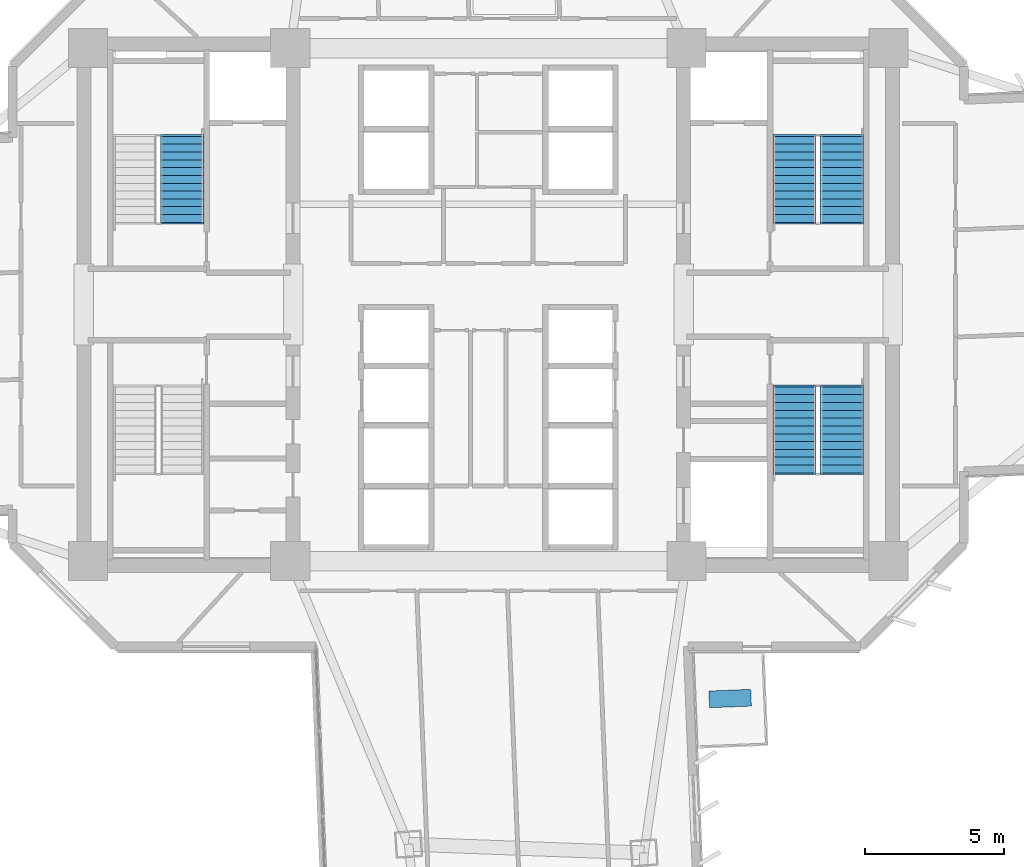
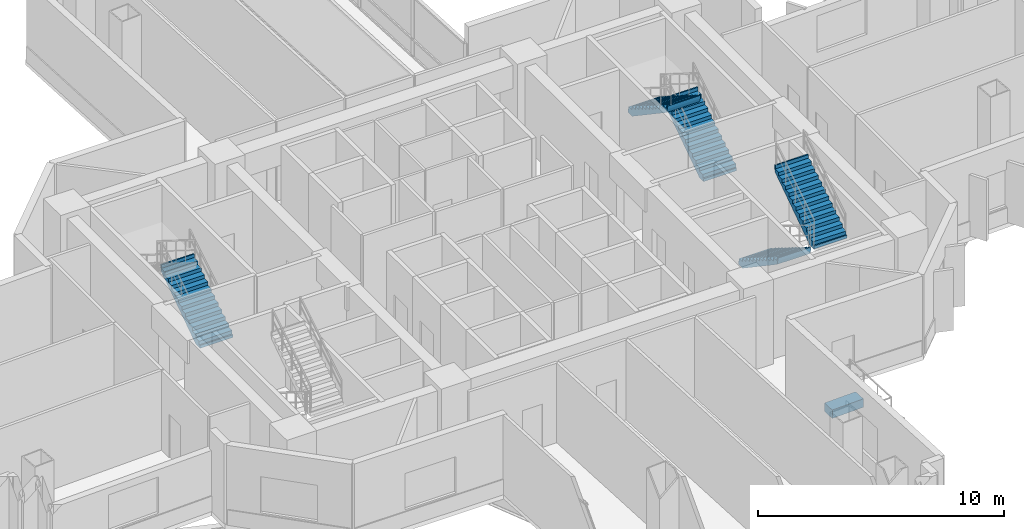
# One storey, part 11 of 16: 5 stair flights, 1 discrete accessory, 3 elements without a shape of their own.
"""IFC4 building model written with IfcOpenShell, lengths in metres."""

import ifcopenshell
import ifcopenshell.guid

model = None  # the IFC model being written
_history = None  # IfcOwnerHistory: only IFC2X3 demands one
_inside = {}  # id of a spatial element -> (the spatial element, [elements in it])
_under = {}  # id of a project, library or spatial element -> (it, [spatial elements below it])
_declared = {}  # id of a project -> (the project, [libraries it declares])
_typed = {}  # id of a type object -> (the type object, [elements of that type])
_made_of = {}  # id of a material, layer set ... -> (it, [elements and type objects made of it])


def new_model(schema):
    """Start an empty IFC model of exactly this schema.

    Asked for "IFC4X3", IfcOpenShell would pick the latest addendum, in which some entities
    have other attributes; the version numbers below select the first issue.
    IFC2X3 requires an IfcOwnerHistory on every rooted entity: one is made here for all.
    """
    global model, _history
    if schema == "IFC4X3":
        model = ifcopenshell.file(schema_version=(4, 3, 0, 0))
    else:
        model = ifcopenshell.file(schema=schema)
    _inside.clear()
    _under.clear()
    _declared.clear()
    _typed.clear()
    _made_of.clear()
    _history = None
    if model.schema == "IFC2X3":
        org = make("IfcOrganization", Name="unknown")
        user = make(
            "IfcPersonAndOrganization",
            ThePerson=make("IfcPerson", FamilyName="unknown"),
            TheOrganization=org,
        )
        app = make(
            "IfcApplication",
            ApplicationDeveloper=org,
            Version="unknown",
            ApplicationFullName="unknown",
            ApplicationIdentifier="unknown",
        )
        _history = make(
            "IfcOwnerHistory",
            OwningUser=user,
            OwningApplication=app,
            ChangeAction="ADDED",
            CreationDate=0,
        )
    return model


def make(cls, **values):
    """One entity of the class cls with the attributes given. An attribute that is None is left unset."""
    return model.create_entity(
        cls, **{name: value for name, value in values.items() if value is not None}
    )


def rooted(cls, **values):
    """An entity with a GlobalId (a new one), such as an element, a storey or a relation."""
    return make(cls, GlobalId=ifcopenshell.guid.new(), OwnerHistory=_history, **values)


def si_unit(unit_type, name, prefix=None):
    """IfcSIUnit, for example si_unit("LENGTHUNIT", "METRE", prefix="MILLI")."""
    return make("IfcSIUnit", UnitType=unit_type, Prefix=prefix, Name=name)


def assignment(units):
    """IfcUnitAssignment: the units of a project."""
    return None if units is None else make("IfcUnitAssignment", Units=units)


def point(xyz):
    """IfcCartesianPoint."""
    return None if xyz is None else make("IfcCartesianPoint", Coordinates=xyz)


def direction(xyz):
    """IfcDirection."""
    return None if xyz is None else make("IfcDirection", DirectionRatios=xyz)


def frame(location, z_axis=None, x_axis=None):
    """IfcAxis2Placement3D, a coordinate frame: its origin and axes. An axis left out is left unset."""
    return make(
        "IfcAxis2Placement3D",
        Location=point(location),
        Axis=direction(z_axis),
        RefDirection=direction(x_axis),
    )


def frame_2d(location, x_axis=None):
    """IfcAxis2Placement2D, a coordinate frame in the plane: its origin and x axis."""
    return make(
        "IfcAxis2Placement2D", Location=point(location), RefDirection=direction(x_axis)
    )


def origin():
    """The frame at (0, 0, 0) with its axes left unset."""
    return frame((0.0, 0.0, 0.0))


def origin_2d():
    """The frame at (0, 0) in the plane with its x axis left unset."""
    return frame_2d((0.0, 0.0))


def place(relative_to, where):
    """IfcLocalPlacement: puts the frame where relative to a parent placement (None: the world)."""
    return make(
        "IfcLocalPlacement", PlacementRelTo=relative_to, RelativePlacement=where
    )


def context(
    kind, dimensions, precision=None, world=None, true_north=None, identifier=None
):
    """IfcGeometricRepresentationContext, for example the 3D "Model" context."""
    return make(
        "IfcGeometricRepresentationContext",
        ContextIdentifier=identifier,
        ContextType=kind,
        CoordinateSpaceDimension=dimensions,
        Precision=precision,
        WorldCoordinateSystem=world,
        TrueNorth=true_north,
    )


def subcontext(parent, identifier, kind, view, scale=None):
    """IfcGeometricRepresentationSubContext, for example "Body" below "Model"."""
    return make(
        "IfcGeometricRepresentationSubContext",
        ContextIdentifier=identifier,
        ContextType=kind,
        ParentContext=parent,
        TargetScale=scale,
        TargetView=view,
    )


def project(units=None, contexts=None):
    """IfcProject with its units and contexts."""
    return rooted(
        "IfcProject",
        Name="project",
        RepresentationContexts=contexts,
        UnitsInContext=assignment(units),
    )


def spatial(cls, under=None, at=None, **own):
    """A site, building, storey or space (cls), placed at a placement, below another one or the project."""
    s = rooted(cls, ObjectPlacement=at, **own)
    if under is not None:
        _under.setdefault(under.id(), (under, []))[1].append(s)
    return s


def polyline(points):
    """IfcPolyline through the points."""
    return make("IfcPolyline", Points=[point(p) for p in points])


def profile(cls, at=None, kind="AREA", **sizes):
    """A parametric profile (cls). Its sizes go by their IFC names, for example OverallWidth=200.0."""
    return make(cls, ProfileType=kind, Position=at, **sizes)


def rectangle(**sizes):
    """IfcRectangleProfileDef."""
    return profile("IfcRectangleProfileDef", **sizes)


def outline(outer, holes=None, kind="AREA"):
    """IfcArbitraryClosedProfileDef: a profile drawn as a closed curve; with holes, ...WithVoids."""
    if holes is None:
        return make("IfcArbitraryClosedProfileDef", ProfileType=kind, OuterCurve=outer)
    return make(
        "IfcArbitraryProfileDefWithVoids",
        ProfileType=kind,
        OuterCurve=outer,
        InnerCurves=holes,
    )


def extrude(swept, where, along, depth):
    """IfcExtrudedAreaSolid: the profile swept, set in the frame where, extruded along a direction by depth."""
    return make(
        "IfcExtrudedAreaSolid",
        SweptArea=swept,
        Position=where,
        ExtrudedDirection=direction(along),
        Depth=depth,
    )


def shape(context_of_items, identifier, shape_type, items):
    """IfcShapeRepresentation: the items that make up one representation, for example the "Body"."""
    return make(
        "IfcShapeRepresentation",
        ContextOfItems=context_of_items,
        RepresentationIdentifier=identifier,
        RepresentationType=shape_type,
        Items=items,
    )


def source(mapping_origin, context_of_items, identifier, shape_type, items):
    """IfcRepresentationMap: a shape defined once, which mapped items show again and again."""
    return make(
        "IfcRepresentationMap",
        MappingOrigin=mapping_origin,
        MappedRepresentation=shape(context_of_items, identifier, shape_type, items),
    )


def transform(
    local_origin,
    x_axis=None,
    y_axis=None,
    z_axis=None,
    scale=None,
    scale2=None,
    scale3=None,
    uniform=True,
):
    """IfcCartesianTransformationOperator3D, or its non-uniform kind. x_axis, y_axis, z_axis: its Axis1, 2, 3."""
    if uniform:
        return make(
            "IfcCartesianTransformationOperator3D",
            Axis1=direction(x_axis),
            Axis2=direction(y_axis),
            LocalOrigin=point(local_origin),
            Scale=scale,
            Axis3=direction(z_axis),
        )
    return make(
        "IfcCartesianTransformationOperator3DnonUniform",
        Axis1=direction(x_axis),
        Axis2=direction(y_axis),
        LocalOrigin=point(local_origin),
        Scale=scale,
        Axis3=direction(z_axis),
        Scale2=scale2,
        Scale3=scale3,
    )


def mapped(mapping_source, mapping_target):
    """IfcMappedItem: shows the shape of a source again, moved by a transform."""
    return make(
        "IfcMappedItem", MappingSource=mapping_source, MappingTarget=mapping_target
    )


def material(Name=None, Category=None):
    """IfcMaterial."""
    return make("IfcMaterial", Name=Name, Category=Category)


def made_of(thing, what):
    """Note that an element or type object is made of a material, layer set ...; save() writes the relation."""
    if what is not None:
        _made_of.setdefault(what.id(), (what, []))[1].append(thing)
    return thing


def type_object(cls, material=None, **own):
    """A type object (cls), such as IfcWallType, which elements share."""
    return made_of(rooted(cls, **own), material)


def element(
    cls,
    number,
    at=None,
    inside=None,
    cuts=None,
    type_object=None,
    material=None,
    context=None,
    identifier="Body",
    shape_type=None,
    held_by="IfcProductDefinitionShape",
    body=None,
    shapes=None,
    **own,
):
    """One element of the class cls, such as IfcWall. Its Tag is "e" and its number.

    at: its placement. inside: the storey or other place that contains it. cuts: it is an
    opening in that element (IfcRelVoidsElement). A single representation is given by context,
    identifier, shape_type and body (its items); several are given by shapes. held_by: the class
    of the entity that holds the representations. save() writes the other relations.
    """
    e = rooted(cls, Tag="e%d" % number, ObjectPlacement=at, **own)
    if body is not None:
        shapes = [shape(context, identifier, shape_type, body)]
    if shapes is not None:
        e.Representation = make(held_by, Representations=shapes)
    if inside is not None:
        _inside.setdefault(inside.id(), (inside, []))[1].append(e)
    if cuts is not None:
        rooted(
            "IfcRelVoidsElement", RelatingBuildingElement=cuts, RelatedOpeningElement=e
        )
    if type_object is not None:
        _typed.setdefault(type_object.id(), (type_object, []))[1].append(e)
    return made_of(e, material)


def aggregate(whole, parts):
    """IfcRelAggregates: a whole, such as a stair, and the parts it consists of."""
    return rooted("IfcRelAggregates", RelatingObject=whole, RelatedObjects=parts)


def save(model, path):
    """Write the relations noted so far, then the file.

    IfcRelAggregates (storeys below a building ...), IfcRelContainedInSpatialStructure (elements
    in a storey), IfcRelDefinesByType, IfcRelAssociatesMaterial and IfcRelDeclares: one each for
    every whole, place, type object, material and project.
    """
    for whole, parts in _under.values():
        aggregate(whole, parts)
    for where, things in _inside.values():
        rooted(
            "IfcRelContainedInSpatialStructure",
            RelatedElements=things,
            RelatingStructure=where,
        )
    for kind, things in _typed.values():
        rooted("IfcRelDefinesByType", RelatedObjects=things, RelatingType=kind)
    for what, things in _made_of.values():
        rooted("IfcRelAssociatesMaterial", RelatedObjects=things, RelatingMaterial=what)
    for by, libraries in _declared.values():
        rooted("IfcRelDeclares", RelatingContext=by, RelatedDefinitions=libraries)
    model.write(path)


model = new_model("IFC4")

# Units and contexts
model_context = context("Model", 3, precision=1e-05, world=origin(), true_north=direction((0.0, 1.0)))
body_context = subcontext(model_context, "Body", "Model", "MODEL_VIEW")
ifc_project = project(units=[si_unit("LENGTHUNIT", "METRE"), si_unit("AREAUNIT", "SQUARE_METRE"), si_unit("VOLUMEUNIT", "CUBIC_METRE"), si_unit("PLANEANGLEUNIT", "RADIAN"), si_unit("MASSUNIT", "GRAM", prefix="KILO")], contexts=[model_context])

# Site, building, storey
site_placement = place(None, origin())
site = spatial("IfcSite", under=ifc_project, at=site_placement, CompositionType="ELEMENT")
building_placement = place(site_placement, origin())
building = spatial("IfcBuilding", under=site, at=building_placement, Name="Zahravan Cultural Tower", CompositionType="ELEMENT")
storey_placement = place(building_placement, frame((0.0, 0.0, 54.300048828125)))
storey = spatial("IfcBuildingStorey", under=building, at=storey_placement, Name="L11", CompositionType="ELEMENT", Elevation=54.300048828125)

# Stair, stair flight
ifc_material_1 = material(Name="Concrete C45/55", Category="concrete")
stair_type = type_object("IfcStairType", Name="STR-DL-1550-420", PredefinedType="HALF_TURN_STAIR", material=ifc_material_1)
stair_1_placement = place(storey_placement, origin())
stair_1 = element("IfcStair", 1, at=stair_1_placement, inside=storey, type_object=stair_type, Name="L11 West Core North Exit Stair ST-W1", PredefinedType="HALF_TURN_STAIR")
stair_flight_type = type_object("IfcStairFlightType", Name="FLG-DL-1550-420", PredefinedType="STRAIGHT", material=ifc_material_1)
stair_flight_1_placement = place(storey_placement, frame((25.02490234375, 29.949951171875, 0.0), z_axis=(0.0, 0.0, 1.0), x_axis=(0.0, 1.0, 0.0)))
stair_flight_1 = element("IfcStairFlight", 2, at=stair_flight_1_placement, type_object=stair_flight_type, Name="ST-W1 flight 1", NumberOfRisers=12, NumberOfTreads=11, PredefinedType="STRAIGHT", RiserHeight=0.175, TreadLength=0.28, context=body_context, shape_type="SweptSolid", body=[
    extrude(outline(polyline([(-0.06494140625, -0.139892578125), (-0.06494140625, 0.0), (0.0, 0.0), (0.0, 0.175048828125), (0.280029296875, 0.175048828125), (0.280029296875, 0.35009765625), (0.56005859375, 0.35009765625), (0.56005859375, 0.52490234375), (0.840087890625, 0.52490234375), (0.840087890625, 0.699951171875), (1.1201171875, 0.699951171875), (1.1201171875, 0.875), (1.39990234375, 0.875), (1.39990234375, 1.050048828125), (1.679931640625, 1.050048828125), (1.679931640625, 1.22509765625), (1.9599609375, 1.22509765625), (1.9599609375, 1.39990234375), (2.239990234375, 1.39990234375), (2.239990234375, 1.574951171875), (2.52001953125, 1.574951171875), (2.52001953125, 1.75), (2.800048828125, 1.75), (2.800048828125, 1.925048828125), (3.080078125, 1.925048828125), (3.080078125, 2.10009765625), (3.14501953125, 2.10009765625), (3.14501953125, 1.9501953125), (3.080078125, 1.748291015625), (0.28271484375, -0.139892578125), (-0.06494140625, -0.139892578125)])), frame((0.0, 0.77490234375, 0.0), z_axis=(0.0, -1.0, 0.0), x_axis=(1.0, 0.0, 0.0)), (0.0, 0.0, 1.0), 1.550048828125),
])
aggregate(stair_1, [stair_flight_1])

# Stair, stair flights
stair_2_placement = place(storey_placement, origin())
stair_2 = element("IfcStair", 3, at=stair_2_placement, inside=storey, type_object=stair_type, Name="L11 East Core North Exit Stair ST-E1", PredefinedType="HALF_TURN_STAIR")
stair_flight_2_placement = place(storey_placement, frame((48.675048828125, 29.949951171875, 0.0), z_axis=(0.0, 0.0, 1.0), x_axis=(0.0, 1.0, 0.0)))
stair_flight_2 = element("IfcStairFlight", 4, at=stair_flight_2_placement, type_object=stair_flight_type, Name="ST-E1 flight 1", NumberOfRisers=12, NumberOfTreads=11, PredefinedType="STRAIGHT", RiserHeight=0.175, TreadLength=0.28, context=body_context, shape_type="SweptSolid", body=[
    extrude(outline(polyline([(-0.06494140625, -0.139892578125), (-0.06494140625, 0.0), (0.0, 0.0), (0.0, 0.175048828125), (0.280029296875, 0.175048828125), (0.280029296875, 0.35009765625), (0.56005859375, 0.35009765625), (0.56005859375, 0.52490234375), (0.840087890625, 0.52490234375), (0.840087890625, 0.699951171875), (1.1201171875, 0.699951171875), (1.1201171875, 0.875), (1.39990234375, 0.875), (1.39990234375, 1.050048828125), (1.679931640625, 1.050048828125), (1.679931640625, 1.22509765625), (1.9599609375, 1.22509765625), (1.9599609375, 1.39990234375), (2.239990234375, 1.39990234375), (2.239990234375, 1.574951171875), (2.52001953125, 1.574951171875), (2.52001953125, 1.75), (2.800048828125, 1.75), (2.800048828125, 1.925048828125), (3.080078125, 1.925048828125), (3.080078125, 2.10009765625), (3.14501953125, 2.10009765625), (3.14501953125, 1.9501953125), (3.080078125, 1.748291015625), (0.28271484375, -0.139892578125), (-0.06494140625, -0.139892578125)])), frame((0.0, 0.77490234375, 0.0), z_axis=(0.0, -1.0, 0.0), x_axis=(1.0, 0.0, 0.0)), (0.0, 0.0, 1.0), 1.550048828125),
])
stair_flight_3_placement = place(storey_placement, frame((46.97509765625, 33.030029296875, 2.099853515625), z_axis=(0.0, 0.0, 1.0), x_axis=(0.0, -1.0, 0.0)))
stair_flight_3 = element("IfcStairFlight", 5, at=stair_flight_3_placement, type_object=stair_flight_type, Name="ST-E1 flight 2", NumberOfRisers=12, NumberOfTreads=11, PredefinedType="STRAIGHT", RiserHeight=0.175, TreadLength=0.28, context=body_context, shape_type="SweptSolid", body=[
    extrude(outline(polyline([(-0.06494140625, -0.139892578125), (-0.06494140625, 0.0), (0.0, 0.0), (0.0, 0.175048828125), (0.280029296875, 0.175048828125), (0.280029296875, 0.35009765625), (0.56005859375, 0.35009765625), (0.56005859375, 0.52490234375), (0.840087890625, 0.52490234375), (0.840087890625, 0.699951171875), (1.1201171875, 0.699951171875), (1.1201171875, 0.875), (1.39990234375, 0.875), (1.39990234375, 1.050048828125), (1.679931640625, 1.050048828125), (1.679931640625, 1.22509765625), (1.9599609375, 1.22509765625), (1.9599609375, 1.39990234375), (2.239990234375, 1.39990234375), (2.239990234375, 1.574951171875), (2.52001953125, 1.574951171875), (2.52001953125, 1.75), (2.800048828125, 1.75), (2.800048828125, 1.925048828125), (3.080078125, 1.925048828125), (3.080078125, 2.10009765625), (3.14501953125, 2.10009765625), (3.14501953125, 1.9501953125), (3.080078125, 1.748291015625), (0.28271484375, -0.139892578125), (-0.06494140625, -0.139892578125)])), frame((0.0, 0.77490234375, 0.0), z_axis=(0.0, -1.0, 0.0), x_axis=(1.0, 0.0, 0.0)), (0.0, 0.0, 1.0), 1.550048828125),
])
aggregate(stair_2, [stair_flight_2, stair_flight_3])

stair_3_placement = place(storey_placement, origin())
stair_3 = element("IfcStair", 6, at=stair_3_placement, inside=storey, type_object=stair_type, Name="L11 East Core South Exit Stair ST-E2", PredefinedType="HALF_TURN_STAIR")
stair_flight_4_placement = place(storey_placement, frame((46.97509765625, 24.050048828125, 0.0), z_axis=(0.0, 0.0, 1.0), x_axis=(0.0, -1.0, 0.0)))
stair_flight_4 = element("IfcStairFlight", 7, at=stair_flight_4_placement, type_object=stair_flight_type, Name="ST-E2 flight 1", NumberOfRisers=12, NumberOfTreads=11, PredefinedType="STRAIGHT", RiserHeight=0.175, TreadLength=0.28, context=body_context, shape_type="SweptSolid", body=[
    extrude(outline(polyline([(-0.06494140625, -0.139892578125), (-0.06494140625, 0.0), (0.0, 0.0), (0.0, 0.175048828125), (0.280029296875, 0.175048828125), (0.280029296875, 0.35009765625), (0.56005859375, 0.35009765625), (0.56005859375, 0.52490234375), (0.840087890625, 0.52490234375), (0.840087890625, 0.699951171875), (1.1201171875, 0.699951171875), (1.1201171875, 0.875), (1.39990234375, 0.875), (1.39990234375, 1.050048828125), (1.679931640625, 1.050048828125), (1.679931640625, 1.22509765625), (1.9599609375, 1.22509765625), (1.9599609375, 1.39990234375), (2.239990234375, 1.39990234375), (2.239990234375, 1.574951171875), (2.52001953125, 1.574951171875), (2.52001953125, 1.75), (2.800048828125, 1.75), (2.800048828125, 1.925048828125), (3.080078125, 1.925048828125), (3.080078125, 2.10009765625), (3.14501953125, 2.10009765625), (3.14501953125, 1.9501953125), (3.080078125, 1.748291015625), (0.28271484375, -0.139892578125), (-0.06494140625, -0.139892578125)])), frame((0.0, 0.77490234375, 0.0), z_axis=(0.0, -1.0, 0.0), x_axis=(1.0, 0.0, 0.0)), (0.0, 0.0, 1.0), 1.550048828125),
])
stair_flight_5_placement = place(storey_placement, frame((48.675048828125, 20.969970703125, 2.099853515625), z_axis=(0.0, 0.0, 1.0), x_axis=(0.0, 1.0, 0.0)))
stair_flight_5 = element("IfcStairFlight", 8, at=stair_flight_5_placement, type_object=stair_flight_type, Name="ST-E2 flight 2", NumberOfRisers=12, NumberOfTreads=11, PredefinedType="STRAIGHT", RiserHeight=0.175, TreadLength=0.28, context=body_context, shape_type="SweptSolid", body=[
    extrude(outline(polyline([(-0.06494140625, -0.139892578125), (-0.06494140625, 0.0), (0.0, 0.0), (0.0, 0.175048828125), (0.280029296875, 0.175048828125), (0.280029296875, 0.35009765625), (0.56005859375, 0.35009765625), (0.56005859375, 0.52490234375), (0.840087890625, 0.52490234375), (0.840087890625, 0.699951171875), (1.1201171875, 0.699951171875), (1.1201171875, 0.875), (1.39990234375, 0.875), (1.39990234375, 1.050048828125), (1.679931640625, 1.050048828125), (1.679931640625, 1.22509765625), (1.9599609375, 1.22509765625), (1.9599609375, 1.39990234375), (2.239990234375, 1.39990234375), (2.239990234375, 1.574951171875), (2.52001953125, 1.574951171875), (2.52001953125, 1.75), (2.800048828125, 1.75), (2.800048828125, 1.925048828125), (3.080078125, 1.925048828125), (3.080078125, 2.10009765625), (3.14501953125, 2.10009765625), (3.14501953125, 1.9501953125), (3.080078125, 1.748291015625), (0.28271484375, -0.139892578125), (-0.06494140625, -0.139892578125)])), frame((0.0, 0.77490234375, 0.0), z_axis=(0.0, -1.0, 0.0), x_axis=(1.0, 0.0, 0.0)), (0.0, 0.0, 1.0), 1.550048828125),
])
aggregate(stair_3, [stair_flight_4, stair_flight_5])

# Discrete accessory
ifc_material_2 = material(Name="Planted soil and terracotta planter", Category="masonry")
discrete_accessory_type = type_object("IfcDiscreteAccessoryType", Name="ACC-PLANTER-TC", PredefinedType="USERDEFINED", material=ifc_material_2)
shared_shape = source(origin(), body_context, "Body", "SweptSolid", [
    extrude(rectangle(XDim=1.5, YDim=0.60009765625, at=origin_2d()), origin(), (0.0, 0.0, 1.0), 0.419921875),
])
discrete_accessory_placement = place(storey_placement, frame((44.671142578125, 12.875732421875, 0.0), z_axis=(0.0, 0.0, 1.0), x_axis=(0.999208342878, 0.039783005453, 0.0)))
element("IfcDiscreteAccessory", 9, at=discrete_accessory_placement, inside=storey, type_object=discrete_accessory_type, Name="L11 Terracotta Sculpture Planter SE", ObjectType="PLANTER", PredefinedType="USERDEFINED", context=body_context, shape_type="MappedRepresentation", body=[
    mapped(shared_shape, transform((0.0, 0.0, 0.0), x_axis=(1.0, 0.0, 0.0), y_axis=(0.0, 1.0, 0.0), z_axis=(0.0, 0.0, 1.0), scale=1.0)),
])

save(model, "model.ifc")
